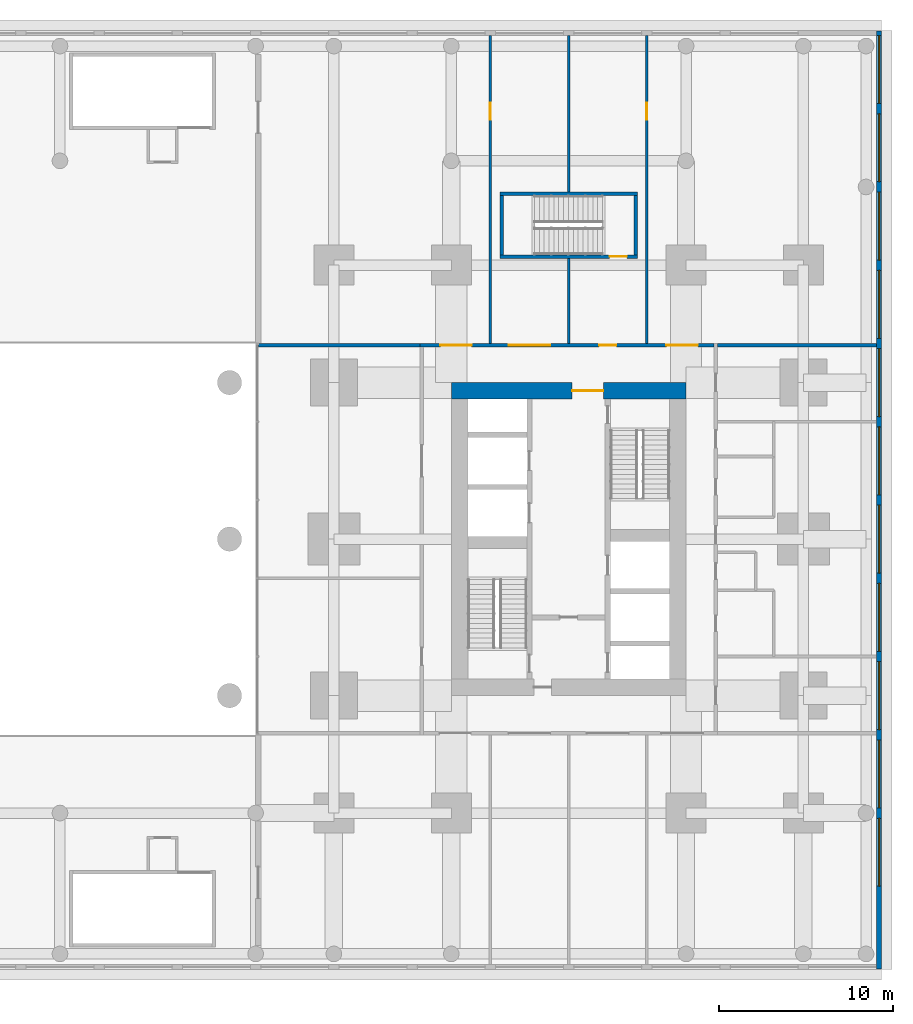
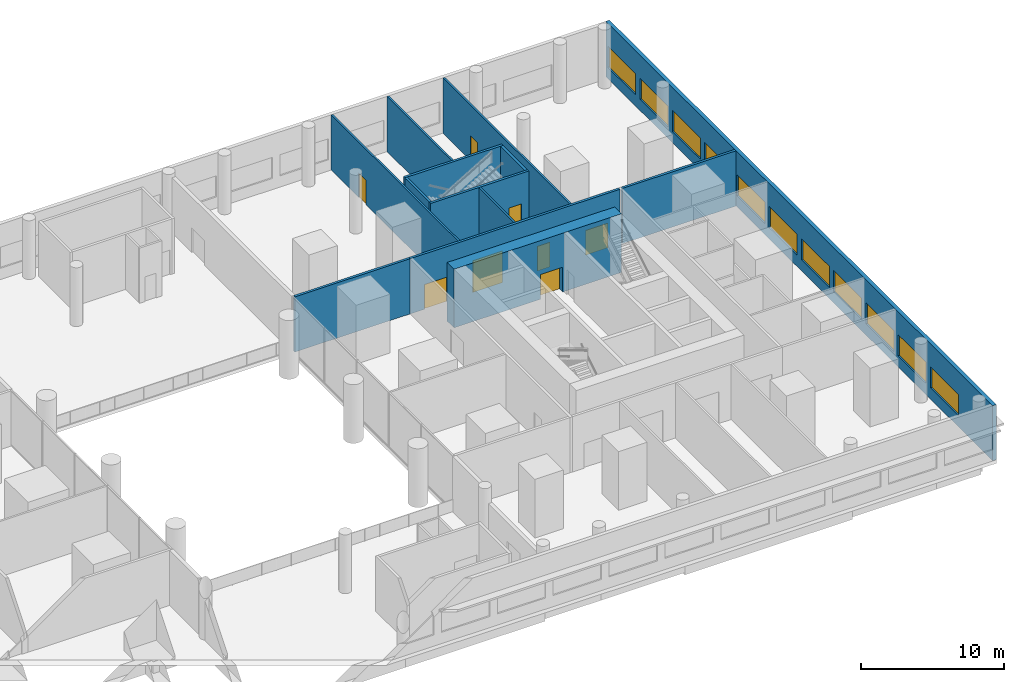
# One storey, part 16 of 20: 13 walls, 11 windows, 8 doors, 19 openings.
"""IFC4 building model written with IfcOpenShell, lengths in metres."""

from ifc_helpers import new_model, si_unit, direction, frame, frame_2d, origin, place, context, subcontext, project, spatial, rectangle, extrude, material, layer, layer_set, type_object, element, fill, save


model = new_model("IFC4")

# Units and contexts
model_context = context("Model", 3, precision=1e-05, world=origin(), true_north=direction((0.0, 1.0)))
body_context = subcontext(model_context, "Body", "Model", "MODEL_VIEW")
ifc_project = project(units=[si_unit("LENGTHUNIT", "METRE"), si_unit("AREAUNIT", "SQUARE_METRE"), si_unit("VOLUMEUNIT", "CUBIC_METRE"), si_unit("PLANEANGLEUNIT", "RADIAN"), si_unit("MASSUNIT", "GRAM", prefix="KILO")], contexts=[model_context])

# Site, building, storey
site_placement = place(None, origin())
site = spatial("IfcSite", under=ifc_project, at=site_placement, CompositionType="ELEMENT")
building_placement = place(site_placement, origin())
building = spatial("IfcBuilding", under=site, at=building_placement, Name="Namib Vertical Campus", CompositionType="ELEMENT")
storey_placement = place(building_placement, frame((0.0, 0.0, 16.0)))
storey = spatial("IfcBuildingStorey", under=building, at=storey_placement, Name="L03", CompositionType="ELEMENT", Elevation=16.0)

# Wall, opening, door
ifc_material_1 = material(Name="Concrete C60/75", Category="concrete")
ifc_layer_1 = layer(ifc_material_1, 0.949951171875)
ifc_layer_set_1 = layer_set([ifc_layer_1], Name="Concrete C60/75")
wall_type_1 = type_object("IfcWallType", Name="Core wall 950", PredefinedType="SHEAR", material=ifc_layer_set_1)
wall_1_placement = place(storey_placement, frame((87.75, 28.77490234375, 0.0), z_axis=(0.0, 0.0, 1.0), x_axis=(-1.0, 0.0, 0.0)))
wall_1 = element("IfcWall", 1, at=wall_1_placement, inside=storey, type_object=wall_type_1, Name="Core wall B L03 3", PredefinedType="SHEAR", context=body_context, shape_type="SweptSolid", body=[
    extrude(rectangle(XDim=13.5, YDim=0.949951171875, at=frame_2d((6.75, 0.0))), origin(), (0.0, 0.0, 1.0), 5.0),
])
opening_1_placement = place(wall_1_placement, frame((4.75, 0.0, 0.0)))
opening_1 = element("IfcOpeningElement", 2, at=opening_1_placement, cuts=wall_1, Name="Opening FD2", PredefinedType="OPENING", context=body_context, shape_type="SweptSolid", body=[
    extrude(rectangle(XDim=1.800048828125, YDim=2.10009765625, at=frame_2d((0.89990234375, 1.050048828125))), frame((0.0, 0.48486328125, 0.0), z_axis=(0.0, -1.0, 0.0), x_axis=(1.0, 0.0, 0.0)), (0.0, 0.0, 1.0), 0.969970703125),
])
ifc_material_2 = material(Name="Steel fire door", Category="steel")
door_type_1 = type_object("IfcDoorType", Name="Fire door double 1800x2100", OperationType="DOUBLE_DOOR_SINGLE_SWING", PredefinedType="DOOR", material=ifc_material_2)
door_1_placement = place(opening_1_placement, origin())
door_1 = element("IfcDoor", 3, at=door_1_placement, inside=storey, type_object=door_type_1, Name="Lift lobby door FD2 B L03", OperationType="DOUBLE_DOOR_SINGLE_SWING", OverallHeight=2.10009765625, OverallWidth=1.800048828125, PredefinedType="DOOR", context=body_context, shape_type="SweptSolid", body=[
    extrude(rectangle(XDim=1.800048828125, YDim=2.10009765625, at=frame_2d((0.89990234375, 1.050048828125))), frame((0.0, 0.02490234375, 0.0), z_axis=(0.0, -1.0, 0.0), x_axis=(1.0, 0.0, 0.0)), (0.0, 0.0, 1.0), 0.050048828125),
])
fill(opening_1, door_1)

# Wall, openings, doors
ifc_material_3 = material(Name="Concrete masonry", Category="masonry")
ifc_layer_2 = layer(ifc_material_3, 0.199951171875)
ifc_layer_set_2 = layer_set([ifc_layer_2], Name="Corridor wall 200")
wall_type_2 = type_object("IfcWallType", Name="Corridor wall 200", PredefinedType="SOLIDWALL", material=ifc_layer_set_2)
wall_2_placement = place(storey_placement, frame((89.35009765625, 31.39990234375, 0.0), z_axis=(0.0, 0.0, 1.0), x_axis=(-1.0, 0.0, 0.0)))
wall_2 = element("IfcWall", 4, at=wall_2_placement, inside=storey, type_object=wall_type_2, Name="Corridor wall B L03 CN", PredefinedType="SOLIDWALL", context=body_context, shape_type="SweptSolid", body=[
    extrude(rectangle(XDim=16.900146484375, YDim=0.199951171875, at=frame_2d((8.4501953125, 0.0))), origin(), (0.0, 0.0, 1.0), 4.699951171875),
])
opening_2_placement = place(wall_2_placement, frame((13.925048828125, 0.0, 0.0)))
opening_2 = element("IfcOpeningElement", 5, at=opening_2_placement, cuts=wall_2, Name="Opening CD2", PredefinedType="OPENING", context=body_context, shape_type="SweptSolid", body=[
    extrude(rectangle(XDim=1.800048828125, YDim=2.10009765625, at=frame_2d((0.89990234375, 1.050048828125))), frame((0.0, 0.10986328125, 0.0), z_axis=(0.0, -1.0, 0.0), x_axis=(1.0, 0.0, 0.0)), (0.0, 0.0, 1.0), 0.219970703125),
])
opening_3_placement = place(wall_2_placement, frame((9.39990234375, 0.0, 0.0)))
opening_3 = element("IfcOpeningElement", 6, at=opening_3_placement, cuts=wall_2, Name="Opening PD1", PredefinedType="OPENING", context=body_context, shape_type="SweptSolid", body=[
    extrude(rectangle(XDim=2.39990234375, YDim=2.699951171875, at=frame_2d((1.199951171875, 1.35009765625))), frame((0.0, 0.10986328125, 0.0), z_axis=(0.0, -1.0, 0.0), x_axis=(1.0, 0.0, 0.0)), (0.0, 0.0, 1.0), 0.219970703125),
])
opening_4_placement = place(wall_2_placement, frame((0.925048828125, 0.0, 0.0)))
opening_4 = element("IfcOpeningElement", 7, at=opening_4_placement, cuts=wall_2, Name="Opening CD2", PredefinedType="OPENING", context=body_context, shape_type="SweptSolid", body=[
    extrude(rectangle(XDim=1.800048828125, YDim=2.10009765625, at=frame_2d((0.89990234375, 1.050048828125))), frame((0.0, 0.10986328125, 0.0), z_axis=(0.0, -1.0, 0.0), x_axis=(1.0, 0.0, 0.0)), (0.0, 0.0, 1.0), 0.219970703125),
])
opening_5_placement = place(wall_2_placement, frame((5.60009765625, 0.0, 0.0)))
opening_5 = element("IfcOpeningElement", 8, at=opening_5_placement, cuts=wall_2, Name="Opening CD1", PredefinedType="OPENING", context=body_context, shape_type="SweptSolid", body=[
    extrude(rectangle(XDim=1.0, YDim=2.10009765625, at=frame_2d((0.5, 1.050048828125))), frame((0.0, 0.10986328125, 0.0), z_axis=(0.0, -1.0, 0.0), x_axis=(1.0, 0.0, 0.0)), (0.0, 0.0, 1.0), 0.219970703125),
])
ifc_material_4 = material(Name="Timber fire door leaf", Category="wood")
door_type_2 = type_object("IfcDoorType", Name="Corridor door 1000x2100 20 min", OperationType="SINGLE_SWING_LEFT", PredefinedType="DOOR", material=ifc_material_4)
door_2_placement = place(opening_5_placement, frame((1.0, 0.0, 0.0), z_axis=(0.0, 0.0, 1.0), x_axis=(-1.0, 0.0, 0.0)))
door_2 = element("IfcDoor", 9, at=door_2_placement, inside=storey, type_object=door_type_2, Name="Door CD1 B03-19", OperationType="SINGLE_SWING_RIGHT", OverallHeight=2.10009765625, OverallWidth=1.0, PredefinedType="DOOR", context=body_context, shape_type="SweptSolid", body=[
    extrude(rectangle(XDim=1.0, YDim=2.10009765625, at=frame_2d((0.5, 1.050048828125))), frame((0.0, 0.02490234375, 0.0), z_axis=(0.0, -1.0, 0.0), x_axis=(1.0, 0.0, 0.0)), (0.0, 0.0, 1.0), 0.050048828125),
])
fill(opening_5, door_2)
ifc_material_5 = material(Name="Timber fire door leaf", Category="wood")
door_type_3 = type_object("IfcDoorType", Name="Corridor door double 1800x2100 20 min", OperationType="DOUBLE_DOOR_SINGLE_SWING", PredefinedType="DOOR", material=ifc_material_5)
door_3_placement = place(opening_2_placement, origin())
door_3 = element("IfcDoor", 10, at=door_3_placement, inside=storey, type_object=door_type_3, Name="Door CD2 B03-12", OperationType="DOUBLE_DOOR_SINGLE_SWING", OverallHeight=2.10009765625, OverallWidth=1.800048828125, PredefinedType="DOOR", context=body_context, shape_type="SweptSolid", body=[
    extrude(rectangle(XDim=1.800048828125, YDim=2.10009765625, at=frame_2d((0.89990234375, 1.050048828125))), frame((0.0, 0.02490234375, 0.0), z_axis=(0.0, -1.0, 0.0), x_axis=(1.0, 0.0, 0.0)), (0.0, 0.0, 1.0), 0.050048828125),
])
fill(opening_2, door_3)
door_4_placement = place(opening_4_placement, frame((1.800048828125, 0.0, 0.0), z_axis=(0.0, 0.0, 1.0), x_axis=(-1.0, 0.0, 0.0)))
door_4 = element("IfcDoor", 11, at=door_4_placement, inside=storey, type_object=door_type_3, Name="Door CD2 B03-14", OperationType="DOUBLE_DOOR_SINGLE_SWING", OverallHeight=2.10009765625, OverallWidth=1.800048828125, PredefinedType="DOOR", context=body_context, shape_type="SweptSolid", body=[
    extrude(rectangle(XDim=1.800048828125, YDim=2.10009765625, at=frame_2d((0.89990234375, 1.050048828125))), frame((0.0, 0.02490234375, 0.0), z_axis=(0.0, -1.0, 0.0), x_axis=(1.0, 0.0, 0.0)), (0.0, 0.0, 1.0), 0.050048828125),
])
fill(opening_4, door_4)
ifc_material_6 = material(Name="Steel fire door", Category="steel")
door_type_4 = type_object("IfcDoorType", Name="Plant room door pair 2400x2700 60 min", OperationType="DOUBLE_DOOR_SINGLE_SWING", PredefinedType="DOOR", material=ifc_material_6)
door_5_placement = place(opening_3_placement, frame((2.39990234375, 0.0, 0.0), z_axis=(0.0, 0.0, 1.0), x_axis=(-1.0, 0.0, 0.0)))
door_5 = element("IfcDoor", 12, at=door_5_placement, inside=storey, type_object=door_type_4, Name="Door PD1 B03-13", OperationType="DOUBLE_DOOR_SINGLE_SWING", OverallHeight=2.699951171875, OverallWidth=2.39990234375, PredefinedType="DOOR", context=body_context, shape_type="SweptSolid", body=[
    extrude(rectangle(XDim=2.39990234375, YDim=2.699951171875, at=frame_2d((1.199951171875, 1.35009765625))), frame((0.0, 0.02490234375, 0.0), z_axis=(0.0, -1.0, 0.0), x_axis=(1.0, 0.0, 0.0)), (0.0, 0.0, 1.0), 0.050048828125),
])
fill(opening_3, door_5)

# Walls
wall_3_placement = place(storey_placement, frame((63.179931640625, 31.39990234375, 0.0), z_axis=(0.0, 0.0, 1.0), x_axis=(1.0, 0.0, 0.0)))
element("IfcWall", 13, at=wall_3_placement, inside=storey, type_object=wall_type_2, Name="Partition B L03 BNW", PredefinedType="SOLIDWALL", context=body_context, shape_type="SweptSolid", body=[
    extrude(rectangle(XDim=9.27001953125, YDim=0.199951171875, at=frame_2d((4.635009765625, 0.0))), origin(), (0.0, 0.0, 1.0), 4.699951171875),
])
wall_4_placement = place(storey_placement, frame((89.550048828125, 31.39990234375, 0.0), z_axis=(0.0, 0.0, 1.0), x_axis=(1.0, 0.0, 0.0)))
element("IfcWall", 14, at=wall_4_placement, inside=storey, type_object=wall_type_2, Name="Partition B L03 BNE", PredefinedType="SOLIDWALL", context=body_context, shape_type="SweptSolid", body=[
    extrude(rectangle(XDim=9.14990234375, YDim=0.199951171875, at=frame_2d((4.574951171875, 0.0))), origin(), (0.0, 0.0, 1.0), 4.699951171875),
])

# Wall, openings, windows
ifc_material_7 = material(Name="Concrete C40/50", Category="concrete")
ifc_layer_3 = layer(ifc_material_7, 0.300048828125)
ifc_layer_set_3 = layer_set([ifc_layer_3], Name="Concrete C40/50")
wall_type_3 = type_object("IfcWallType", Name="External wall 300 board-marked concrete", PredefinedType="STANDARD", material=ifc_layer_set_3)
wall_5_placement = place(storey_placement, frame((98.85009765625, -4.47998046875, 0.0), z_axis=(0.0, 0.0, 1.0), x_axis=(0.0, 1.0, 0.0)))
wall_5 = element("IfcWall", 15, at=wall_5_placement, inside=storey, type_object=wall_type_3, Name="External wall L03 F2", PredefinedType="STANDARD", context=body_context, shape_type="SweptSolid", body=[
    extrude(rectangle(XDim=53.9599609375, YDim=0.300048828125, at=frame_2d((26.97998046875, 0.0))), origin(), (0.0, 0.0, 1.0), 4.699951171875),
])
opening_6_placement = place(wall_5_placement, frame((4.780029296875, 0.0, 0.949951171875)))
opening_6 = element("IfcOpeningElement", 16, at=opening_6_placement, cuts=wall_5, Name="Opening W3", PredefinedType="OPENING", context=body_context, shape_type="SweptSolid", body=[
    extrude(rectangle(XDim=3.89990234375, YDim=1.800048828125, at=frame_2d((1.949951171875, 0.89990234375))), frame((0.0, 0.159912109375, 0.0), z_axis=(0.0, -1.0, 0.0), x_axis=(1.0, 0.0, 0.0)), (0.0, 0.0, 1.0), 0.320068359375),
])
opening_7_placement = place(wall_5_placement, frame((9.280029296875, 0.0, 0.949951171875)))
opening_7 = element("IfcOpeningElement", 17, at=opening_7_placement, cuts=wall_5, Name="Opening W3", PredefinedType="OPENING", context=body_context, shape_type="SweptSolid", body=[
    extrude(rectangle(XDim=3.89990234375, YDim=1.800048828125, at=frame_2d((1.949951171875, 0.89990234375))), frame((0.0, 0.159912109375, 0.0), z_axis=(0.0, -1.0, 0.0), x_axis=(1.0, 0.0, 0.0)), (0.0, 0.0, 1.0), 0.320068359375),
])
opening_8_placement = place(wall_5_placement, frame((13.780029296875, 0.0, 0.949951171875)))
opening_8 = element("IfcOpeningElement", 18, at=opening_8_placement, cuts=wall_5, Name="Opening W3", PredefinedType="OPENING", context=body_context, shape_type="SweptSolid", body=[
    extrude(rectangle(XDim=3.89990234375, YDim=1.800048828125, at=frame_2d((1.949951171875, 0.89990234375))), frame((0.0, 0.159912109375, 0.0), z_axis=(0.0, -1.0, 0.0), x_axis=(1.0, 0.0, 0.0)), (0.0, 0.0, 1.0), 0.320068359375),
])
opening_9_placement = place(wall_5_placement, frame((18.280029296875, 0.0, 0.949951171875)))
opening_9 = element("IfcOpeningElement", 19, at=opening_9_placement, cuts=wall_5, Name="Opening W3", PredefinedType="OPENING", context=body_context, shape_type="SweptSolid", body=[
    extrude(rectangle(XDim=3.89990234375, YDim=1.800048828125, at=frame_2d((1.949951171875, 0.89990234375))), frame((0.0, 0.159912109375, 0.0), z_axis=(0.0, -1.0, 0.0), x_axis=(1.0, 0.0, 0.0)), (0.0, 0.0, 1.0), 0.320068359375),
])
opening_10_placement = place(wall_5_placement, frame((22.780029296875, 0.0, 0.949951171875)))
opening_10 = element("IfcOpeningElement", 20, at=opening_10_placement, cuts=wall_5, Name="Opening W3", PredefinedType="OPENING", context=body_context, shape_type="SweptSolid", body=[
    extrude(rectangle(XDim=3.89990234375, YDim=1.800048828125, at=frame_2d((1.949951171875, 0.89990234375))), frame((0.0, 0.159912109375, 0.0), z_axis=(0.0, -1.0, 0.0), x_axis=(1.0, 0.0, 0.0)), (0.0, 0.0, 1.0), 0.320068359375),
])
opening_11_placement = place(wall_5_placement, frame((27.280029296875, 0.0, 0.949951171875)))
opening_11 = element("IfcOpeningElement", 21, at=opening_11_placement, cuts=wall_5, Name="Opening W3", PredefinedType="OPENING", context=body_context, shape_type="SweptSolid", body=[
    extrude(rectangle(XDim=3.89990234375, YDim=1.800048828125, at=frame_2d((1.949951171875, 0.89990234375))), frame((0.0, 0.159912109375, 0.0), z_axis=(0.0, -1.0, 0.0), x_axis=(1.0, 0.0, 0.0)), (0.0, 0.0, 1.0), 0.320068359375),
])
opening_12_placement = place(wall_5_placement, frame((31.780029296875, 0.0, 0.949951171875)))
opening_12 = element("IfcOpeningElement", 22, at=opening_12_placement, cuts=wall_5, Name="Opening W3", PredefinedType="OPENING", context=body_context, shape_type="SweptSolid", body=[
    extrude(rectangle(XDim=3.89990234375, YDim=1.800048828125, at=frame_2d((1.949951171875, 0.89990234375))), frame((0.0, 0.159912109375, 0.0), z_axis=(0.0, -1.0, 0.0), x_axis=(1.0, 0.0, 0.0)), (0.0, 0.0, 1.0), 0.320068359375),
])
opening_13_placement = place(wall_5_placement, frame((36.280029296875, 0.0, 0.949951171875)))
opening_13 = element("IfcOpeningElement", 23, at=opening_13_placement, cuts=wall_5, Name="Opening W3", PredefinedType="OPENING", context=body_context, shape_type="SweptSolid", body=[
    extrude(rectangle(XDim=3.89990234375, YDim=1.800048828125, at=frame_2d((1.949951171875, 0.89990234375))), frame((0.0, 0.159912109375, 0.0), z_axis=(0.0, -1.0, 0.0), x_axis=(1.0, 0.0, 0.0)), (0.0, 0.0, 1.0), 0.320068359375),
])
opening_14_placement = place(wall_5_placement, frame((40.780029296875, 0.0, 0.949951171875)))
opening_14 = element("IfcOpeningElement", 24, at=opening_14_placement, cuts=wall_5, Name="Opening W3", PredefinedType="OPENING", context=body_context, shape_type="SweptSolid", body=[
    extrude(rectangle(XDim=3.89990234375, YDim=1.800048828125, at=frame_2d((1.949951171875, 0.89990234375))), frame((0.0, 0.159912109375, 0.0), z_axis=(0.0, -1.0, 0.0), x_axis=(1.0, 0.0, 0.0)), (0.0, 0.0, 1.0), 0.320068359375),
])
opening_15_placement = place(wall_5_placement, frame((45.280029296875, 0.0, 0.949951171875)))
opening_15 = element("IfcOpeningElement", 25, at=opening_15_placement, cuts=wall_5, Name="Opening W3", PredefinedType="OPENING", context=body_context, shape_type="SweptSolid", body=[
    extrude(rectangle(XDim=3.89990234375, YDim=1.800048828125, at=frame_2d((1.949951171875, 0.89990234375))), frame((0.0, 0.159912109375, 0.0), z_axis=(0.0, -1.0, 0.0), x_axis=(1.0, 0.0, 0.0)), (0.0, 0.0, 1.0), 0.320068359375),
])
opening_16_placement = place(wall_5_placement, frame((49.780029296875, 0.0, 0.949951171875)))
opening_16 = element("IfcOpeningElement", 26, at=opening_16_placement, cuts=wall_5, Name="Opening W3", PredefinedType="OPENING", context=body_context, shape_type="SweptSolid", body=[
    extrude(rectangle(XDim=3.89990234375, YDim=1.800048828125, at=frame_2d((1.949951171875, 0.89990234375))), frame((0.0, 0.159912109375, 0.0), z_axis=(0.0, -1.0, 0.0), x_axis=(1.0, 0.0, 0.0)), (0.0, 0.0, 1.0), 0.320068359375),
])
ifc_material_8 = material(Name="Dark tinted glass in black aluminium frame", Category="aluminium")
window_type = type_object("IfcWindowType", Name="Ribbon window 3900x1800", PartitioningType="SINGLE_PANEL", PredefinedType="WINDOW", material=ifc_material_8)
window_1_placement = place(opening_6_placement, origin())
window_1 = element("IfcWindow", 27, at=window_1_placement, inside=storey, type_object=window_type, Name="Window W3 L03 F2-2", OverallHeight=1.800048828125, OverallWidth=3.89990234375, PartitioningType="SINGLE_PANEL", PredefinedType="WINDOW", context=body_context, shape_type="SweptSolid", body=[
    extrude(rectangle(XDim=3.89990234375, YDim=1.800048828125, at=frame_2d((1.949951171875, 0.89990234375))), frame((0.0, 0.030029296875, 0.0), z_axis=(0.0, -1.0, 0.0), x_axis=(1.0, 0.0, 0.0)), (0.0, 0.0, 1.0), 0.06005859375),
])
fill(opening_6, window_1)
window_2_placement = place(opening_7_placement, origin())
window_2 = element("IfcWindow", 28, at=window_2_placement, inside=storey, type_object=window_type, Name="Window W3 L03 F2-3", OverallHeight=1.800048828125, OverallWidth=3.89990234375, PartitioningType="SINGLE_PANEL", PredefinedType="WINDOW", context=body_context, shape_type="SweptSolid", body=[
    extrude(rectangle(XDim=3.89990234375, YDim=1.800048828125, at=frame_2d((1.949951171875, 0.89990234375))), frame((0.0, 0.030029296875, 0.0), z_axis=(0.0, -1.0, 0.0), x_axis=(1.0, 0.0, 0.0)), (0.0, 0.0, 1.0), 0.06005859375),
])
fill(opening_7, window_2)
window_3_placement = place(opening_8_placement, origin())
window_3 = element("IfcWindow", 29, at=window_3_placement, inside=storey, type_object=window_type, Name="Window W3 L03 F2-4", OverallHeight=1.800048828125, OverallWidth=3.89990234375, PartitioningType="SINGLE_PANEL", PredefinedType="WINDOW", context=body_context, shape_type="SweptSolid", body=[
    extrude(rectangle(XDim=3.89990234375, YDim=1.800048828125, at=frame_2d((1.949951171875, 0.89990234375))), frame((0.0, 0.030029296875, 0.0), z_axis=(0.0, -1.0, 0.0), x_axis=(1.0, 0.0, 0.0)), (0.0, 0.0, 1.0), 0.06005859375),
])
fill(opening_8, window_3)
window_4_placement = place(opening_9_placement, origin())
window_4 = element("IfcWindow", 30, at=window_4_placement, inside=storey, type_object=window_type, Name="Window W3 L03 F2-5", OverallHeight=1.800048828125, OverallWidth=3.89990234375, PartitioningType="SINGLE_PANEL", PredefinedType="WINDOW", context=body_context, shape_type="SweptSolid", body=[
    extrude(rectangle(XDim=3.89990234375, YDim=1.800048828125, at=frame_2d((1.949951171875, 0.89990234375))), frame((0.0, 0.030029296875, 0.0), z_axis=(0.0, -1.0, 0.0), x_axis=(1.0, 0.0, 0.0)), (0.0, 0.0, 1.0), 0.06005859375),
])
fill(opening_9, window_4)
window_5_placement = place(opening_10_placement, origin())
window_5 = element("IfcWindow", 31, at=window_5_placement, inside=storey, type_object=window_type, Name="Window W3 L03 F2-6", OverallHeight=1.800048828125, OverallWidth=3.89990234375, PartitioningType="SINGLE_PANEL", PredefinedType="WINDOW", context=body_context, shape_type="SweptSolid", body=[
    extrude(rectangle(XDim=3.89990234375, YDim=1.800048828125, at=frame_2d((1.949951171875, 0.89990234375))), frame((0.0, 0.030029296875, 0.0), z_axis=(0.0, -1.0, 0.0), x_axis=(1.0, 0.0, 0.0)), (0.0, 0.0, 1.0), 0.06005859375),
])
fill(opening_10, window_5)
window_6_placement = place(opening_11_placement, origin())
window_6 = element("IfcWindow", 32, at=window_6_placement, inside=storey, type_object=window_type, Name="Window W3 L03 F2-7", OverallHeight=1.800048828125, OverallWidth=3.89990234375, PartitioningType="SINGLE_PANEL", PredefinedType="WINDOW", context=body_context, shape_type="SweptSolid", body=[
    extrude(rectangle(XDim=3.89990234375, YDim=1.800048828125, at=frame_2d((1.949951171875, 0.89990234375))), frame((0.0, 0.030029296875, 0.0), z_axis=(0.0, -1.0, 0.0), x_axis=(1.0, 0.0, 0.0)), (0.0, 0.0, 1.0), 0.06005859375),
])
fill(opening_11, window_6)
window_7_placement = place(opening_12_placement, origin())
window_7 = element("IfcWindow", 33, at=window_7_placement, inside=storey, type_object=window_type, Name="Window W3 L03 F2-8", OverallHeight=1.800048828125, OverallWidth=3.89990234375, PartitioningType="SINGLE_PANEL", PredefinedType="WINDOW", context=body_context, shape_type="SweptSolid", body=[
    extrude(rectangle(XDim=3.89990234375, YDim=1.800048828125, at=frame_2d((1.949951171875, 0.89990234375))), frame((0.0, 0.030029296875, 0.0), z_axis=(0.0, -1.0, 0.0), x_axis=(1.0, 0.0, 0.0)), (0.0, 0.0, 1.0), 0.06005859375),
])
fill(opening_12, window_7)
window_8_placement = place(opening_13_placement, origin())
window_8 = element("IfcWindow", 34, at=window_8_placement, inside=storey, type_object=window_type, Name="Window W3 L03 F2-9", OverallHeight=1.800048828125, OverallWidth=3.89990234375, PartitioningType="SINGLE_PANEL", PredefinedType="WINDOW", context=body_context, shape_type="SweptSolid", body=[
    extrude(rectangle(XDim=3.89990234375, YDim=1.800048828125, at=frame_2d((1.949951171875, 0.89990234375))), frame((0.0, 0.030029296875, 0.0), z_axis=(0.0, -1.0, 0.0), x_axis=(1.0, 0.0, 0.0)), (0.0, 0.0, 1.0), 0.06005859375),
])
fill(opening_13, window_8)
window_9_placement = place(opening_14_placement, origin())
window_9 = element("IfcWindow", 35, at=window_9_placement, inside=storey, type_object=window_type, Name="Window W3 L03 F2-10", OverallHeight=1.800048828125, OverallWidth=3.89990234375, PartitioningType="SINGLE_PANEL", PredefinedType="WINDOW", context=body_context, shape_type="SweptSolid", body=[
    extrude(rectangle(XDim=3.89990234375, YDim=1.800048828125, at=frame_2d((1.949951171875, 0.89990234375))), frame((0.0, 0.030029296875, 0.0), z_axis=(0.0, -1.0, 0.0), x_axis=(1.0, 0.0, 0.0)), (0.0, 0.0, 1.0), 0.06005859375),
])
fill(opening_14, window_9)
window_10_placement = place(opening_15_placement, origin())
window_10 = element("IfcWindow", 36, at=window_10_placement, inside=storey, type_object=window_type, Name="Window W3 L03 F2-11", OverallHeight=1.800048828125, OverallWidth=3.89990234375, PartitioningType="SINGLE_PANEL", PredefinedType="WINDOW", context=body_context, shape_type="SweptSolid", body=[
    extrude(rectangle(XDim=3.89990234375, YDim=1.800048828125, at=frame_2d((1.949951171875, 0.89990234375))), frame((0.0, 0.030029296875, 0.0), z_axis=(0.0, -1.0, 0.0), x_axis=(1.0, 0.0, 0.0)), (0.0, 0.0, 1.0), 0.06005859375),
])
fill(opening_15, window_10)
window_11_placement = place(opening_16_placement, origin())
window_11 = element("IfcWindow", 37, at=window_11_placement, inside=storey, type_object=window_type, Name="Window W3 L03 F2-12", OverallHeight=1.800048828125, OverallWidth=3.89990234375, PartitioningType="SINGLE_PANEL", PredefinedType="WINDOW", context=body_context, shape_type="SweptSolid", body=[
    extrude(rectangle(XDim=3.89990234375, YDim=1.800048828125, at=frame_2d((1.949951171875, 0.89990234375))), frame((0.0, 0.030029296875, 0.0), z_axis=(0.0, -1.0, 0.0), x_axis=(1.0, 0.0, 0.0)), (0.0, 0.0, 1.0), 0.06005859375),
])
fill(opening_16, window_11)

# Wall, opening, door
ifc_material_9 = material(Name="Gypsum board on steel studs", Category="steel")
ifc_layer_4 = layer(ifc_material_9, 0.14990234375)
ifc_layer_set_4 = layer_set([ifc_layer_4], Name="Gypsum board on steel studs")
wall_type_4 = type_object("IfcWallType", Name="Partition 150", PredefinedType="PARTITIONING", material=ifc_layer_set_4)
wall_6_placement = place(storey_placement, frame((76.5, 31.5, 0.0), z_axis=(0.0, 0.0, 1.0), x_axis=(0.0, 1.0, 0.0)))
wall_6 = element("IfcWall", 38, at=wall_6_placement, inside=storey, type_object=wall_type_4, Name="Partition B L03 PN1", PredefinedType="PARTITIONING", context=body_context, shape_type="SweptSolid", body=[
    extrude(rectangle(XDim=17.699951171875, YDim=0.14990234375, at=frame_2d((8.85009765625, 0.0))), origin(), (0.0, 0.0, 1.0), 4.699951171875),
])
opening_17_placement = place(wall_6_placement, frame((12.85009765625, 0.0, 0.0)))
opening_17 = element("IfcOpeningElement", 39, at=opening_17_placement, cuts=wall_6, Name="Opening D1", PredefinedType="OPENING", context=body_context, shape_type="SweptSolid", body=[
    extrude(rectangle(XDim=1.0, YDim=2.10009765625, at=frame_2d((0.5, 1.050048828125))), frame((0.0, 0.0849609375, 0.0), z_axis=(0.0, -1.0, 0.0), x_axis=(1.0, 0.0, 0.0)), (0.0, 0.0, 1.0), 0.169921875),
])
ifc_material_10 = material(Name="Timber door leaf", Category="wood")
door_type_5 = type_object("IfcDoorType", Name="Door single 1000x2100", OperationType="SINGLE_SWING_LEFT", PredefinedType="DOOR", material=ifc_material_10)
door_6_placement = place(opening_17_placement, frame((1.0, 0.0, 0.0), z_axis=(0.0, 0.0, 1.0), x_axis=(-1.0, 0.0, 0.0)))
door_6 = element("IfcDoor", 40, at=door_6_placement, inside=storey, type_object=door_type_5, Name="Door D1 B03-18", OperationType="SINGLE_SWING_RIGHT", OverallHeight=2.10009765625, OverallWidth=1.0, PredefinedType="DOOR", context=body_context, shape_type="SweptSolid", body=[
    extrude(rectangle(XDim=1.0, YDim=2.10009765625, at=frame_2d((0.5, 1.050048828125))), frame((0.0, 0.02490234375, 0.0), z_axis=(0.0, -1.0, 0.0), x_axis=(1.0, 0.0, 0.0)), (0.0, 0.0, 1.0), 0.050048828125),
])
fill(opening_17, door_6)

# Walls
wall_7_placement = place(storey_placement, frame((81.0, 31.5, 0.0), z_axis=(0.0, 0.0, 1.0), x_axis=(0.0, 1.0, 0.0)))
element("IfcWall", 41, at=wall_7_placement, inside=storey, type_object=wall_type_4, Name="Partition B L03 PN3", PredefinedType="PARTITIONING", context=body_context, shape_type="SweptSolid", body=[
    extrude(rectangle(XDim=4.89990234375, YDim=0.14990234375, at=frame_2d((2.449951171875, 0.0))), origin(), (0.0, 0.0, 1.0), 4.699951171875),
])
wall_8_placement = place(storey_placement, frame((81.0, 40.199951171875, 0.0), z_axis=(0.0, 0.0, 1.0), x_axis=(0.0, 1.0, 0.0)))
element("IfcWall", 42, at=wall_8_placement, inside=storey, type_object=wall_type_4, Name="Partition B L03 PN3", PredefinedType="PARTITIONING", context=body_context, shape_type="SweptSolid", body=[
    extrude(rectangle(XDim=9.0, YDim=0.14990234375, at=frame_2d((4.5, 0.0))), origin(), (0.0, 0.0, 1.0), 4.699951171875),
])

# Wall, opening, door
wall_9_placement = place(storey_placement, frame((85.5, 31.5, 0.0), z_axis=(0.0, 0.0, 1.0), x_axis=(0.0, 1.0, 0.0)))
wall_9 = element("IfcWall", 43, at=wall_9_placement, inside=storey, type_object=wall_type_4, Name="Partition B L03 PN2", PredefinedType="PARTITIONING", context=body_context, shape_type="SweptSolid", body=[
    extrude(rectangle(XDim=17.699951171875, YDim=0.14990234375, at=frame_2d((8.85009765625, 0.0))), origin(), (0.0, 0.0, 1.0), 4.699951171875),
])
opening_18_placement = place(wall_9_placement, frame((12.85009765625, 0.0, 0.0)))
opening_18 = element("IfcOpeningElement", 44, at=opening_18_placement, cuts=wall_9, Name="Opening D1", PredefinedType="OPENING", context=body_context, shape_type="SweptSolid", body=[
    extrude(rectangle(XDim=1.0, YDim=2.10009765625, at=frame_2d((0.5, 1.050048828125))), frame((0.0, 0.0849609375, 0.0), z_axis=(0.0, -1.0, 0.0), x_axis=(1.0, 0.0, 0.0)), (0.0, 0.0, 1.0), 0.169921875),
])
door_7_placement = place(opening_18_placement, origin())
door_7 = element("IfcDoor", 45, at=door_7_placement, inside=storey, type_object=door_type_5, Name="Door D1 B03-20", OperationType="SINGLE_SWING_LEFT", OverallHeight=2.10009765625, OverallWidth=1.0, PredefinedType="DOOR", context=body_context, shape_type="SweptSolid", body=[
    extrude(rectangle(XDim=1.0, YDim=2.10009765625, at=frame_2d((0.5, 1.050048828125))), frame((0.0, 0.02490234375, 0.0), z_axis=(0.0, -1.0, 0.0), x_axis=(1.0, 0.0, 0.0)), (0.0, 0.0, 1.0), 0.050048828125),
])
fill(opening_18, door_7)

ifc_material_11 = material(Name="Concrete C40/50", Category="concrete")
ifc_layer_5 = layer(ifc_material_11, 0.199951171875)
ifc_layer_set_5 = layer_set([ifc_layer_5], Name="Concrete C40/50")
wall_type_5 = type_object("IfcWallType", Name="Stair enclosure wall RC 200", PredefinedType="SOLIDWALL", material=ifc_layer_set_5)
wall_10_placement = place(storey_placement, frame((77.050048828125, 36.5, 0.0), z_axis=(0.0, 0.0, 1.0), x_axis=(1.0, 0.0, 0.0)))
wall_10 = element("IfcWall", 46, at=wall_10_placement, inside=storey, type_object=wall_type_5, Name="Stair enclosure wall B-S3 L03 S", PredefinedType="SOLIDWALL", context=body_context, shape_type="SweptSolid", body=[
    extrude(rectangle(XDim=7.89990234375, YDim=0.199951171875, at=frame_2d((3.949951171875, 0.0))), origin(), (0.0, 0.0, 1.0), 4.699951171875),
])
opening_19_placement = place(wall_10_placement, frame((6.300048828125, 0.0, 0.0)))
opening_19 = element("IfcOpeningElement", 47, at=opening_19_placement, cuts=wall_10, Name="Opening FD1", PredefinedType="OPENING", context=body_context, shape_type="SweptSolid", body=[
    extrude(rectangle(XDim=1.0, YDim=2.10009765625, at=frame_2d((0.5, 1.050048828125))), frame((0.0, 0.10986328125, 0.0), z_axis=(0.0, -1.0, 0.0), x_axis=(1.0, 0.0, 0.0)), (0.0, 0.0, 1.0), 0.219970703125),
])
ifc_material_12 = material(Name="Steel fire door", Category="steel")
door_type_6 = type_object("IfcDoorType", Name="Fire door 1000x2100", OperationType="SINGLE_SWING_RIGHT", PredefinedType="DOOR", material=ifc_material_12)
door_8_placement = place(opening_19_placement, origin())
door_8 = element("IfcDoor", 48, at=door_8_placement, inside=storey, type_object=door_type_6, Name="Stair door FD1 B L03 S3", OperationType="SINGLE_SWING_RIGHT", OverallHeight=2.10009765625, OverallWidth=1.0, PredefinedType="DOOR", context=body_context, shape_type="SweptSolid", body=[
    extrude(rectangle(XDim=1.0, YDim=2.10009765625, at=frame_2d((0.5, 1.050048828125))), frame((0.0, 0.02490234375, 0.0), z_axis=(0.0, -1.0, 0.0), x_axis=(1.0, 0.0, 0.0)), (0.0, 0.0, 1.0), 0.050048828125),
])
fill(opening_19, door_8)

# Walls
wall_11_placement = place(storey_placement, frame((77.050048828125, 40.10009765625, 0.0), z_axis=(0.0, 0.0, 1.0), x_axis=(1.0, 0.0, 0.0)))
element("IfcWall", 49, at=wall_11_placement, inside=storey, type_object=wall_type_5, Name="Stair enclosure wall B-S3 L03 N", PredefinedType="SOLIDWALL", context=body_context, shape_type="SweptSolid", body=[
    extrude(rectangle(XDim=7.89990234375, YDim=0.199951171875, at=frame_2d((3.949951171875, 0.0))), origin(), (0.0, 0.0, 1.0), 4.699951171875),
])
for number, where, z_axis, x_axis, name in (
    (50, (77.14990234375, 36.60009765625, 0.0), (0.0, 0.0, 1.0), (0.0, 1.0, 0.0), "Stair enclosure wall B-S3 L03 W"),
    (51, (84.85009765625, 36.60009765625, 0.0), (0.0, 0.0, 1.0), (0.0, 1.0, 0.0), "Stair enclosure wall B-S3 L03 E"),
):
    element("IfcWall", number, at=place(storey_placement, frame(where, z_axis=z_axis, x_axis=x_axis)), inside=storey, type_object=wall_type_5, Name=name, PredefinedType="SOLIDWALL", context=body_context, shape_type="SweptSolid", body=[
        extrude(rectangle(XDim=3.39990234375, YDim=0.199951171875, at=frame_2d((1.699951171875, 0.0))), origin(), (0.0, 0.0, 1.0), 4.699951171875),
    ])

save(model, "model.ifc")
